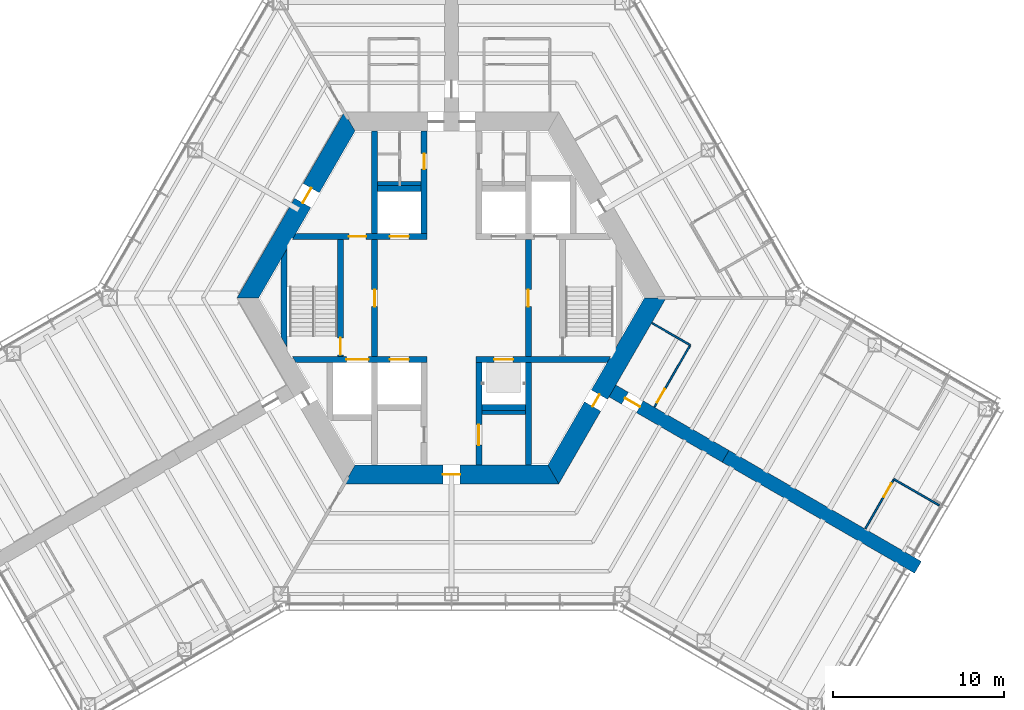
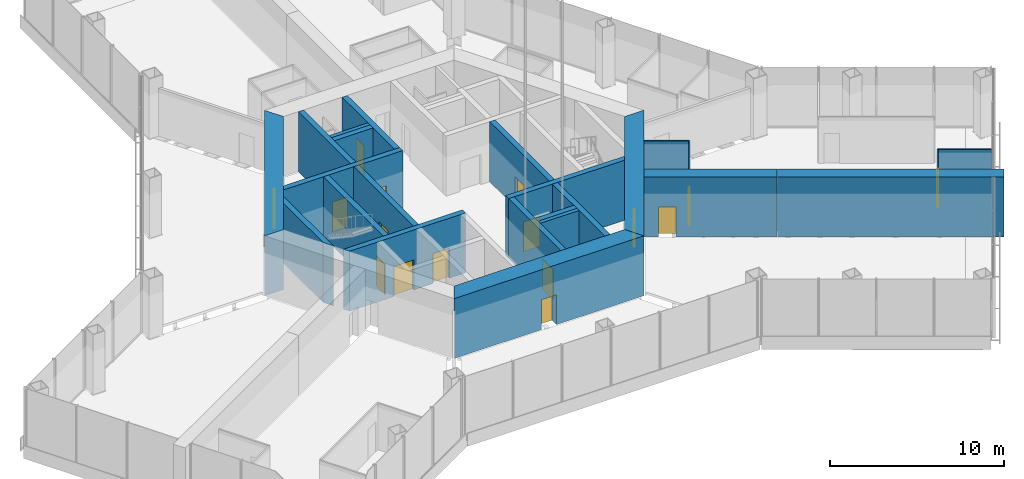
# One storey, part 11 of 18: 24 walls, 16 doors, 16 openings.
"""IFC4 building model written with IfcOpenShell, lengths in metres."""

from ifc_helpers import new_model, si_unit, direction, frame, frame_2d, origin, place, context, subcontext, project, spatial, polyline, rectangle, outline, extrude, material, layer, layer_set, type_object, element, fill, save


model = new_model("IFC4")

# Units and contexts
model_context = context("Model", 3, precision=1e-05, world=origin(), true_north=direction((0.0, 1.0)))
body_context = subcontext(model_context, "Body", "Model", "MODEL_VIEW")
ifc_project = project(units=[si_unit("LENGTHUNIT", "METRE"), si_unit("AREAUNIT", "SQUARE_METRE"), si_unit("VOLUMEUNIT", "CUBIC_METRE"), si_unit("PLANEANGLEUNIT", "RADIAN"), si_unit("MASSUNIT", "GRAM", prefix="KILO")], contexts=[model_context])

# Site, building, storey
site_placement = place(None, origin())
site = spatial("IfcSite", under=ifc_project, at=site_placement, CompositionType="ELEMENT")
building_placement = place(site_placement, origin())
building = spatial("IfcBuilding", under=site, at=building_placement, Name="Kasaneha Research Tower", CompositionType="ELEMENT")
storey_placement = place(building_placement, frame((0.0, 0.0, 57.0)))
storey = spatial("IfcBuildingStorey", under=building, at=storey_placement, Name="L14", CompositionType="ELEMENT", Elevation=57.0)

# Wall, openings, doors
ifc_material_1 = material(Name="Concrete Fc80", Category="concrete")
ifc_layer_1 = layer(ifc_material_1, 0.35009765625)
ifc_layer_set_1 = layer_set([ifc_layer_1], Name="Core internal wall 350 Fc80")
wall_type_1 = type_object("IfcWallType", Name="Core internal wall 350 Fc80", PredefinedType="SHEAR", material=ifc_layer_set_1)
wall_1_placement = place(storey_placement, frame((-9.208740234375, 3.60009765625, 0.0), z_axis=(0.0, 0.0, 1.0), x_axis=(1.0, 0.0, 0.0)))
wall_1 = element("IfcWall", 1, at=wall_1_placement, inside=storey, type_object=wall_type_1, Name="Core wall W1W L14", PredefinedType="SHEAR", context=body_context, shape_type="SweptSolid", body=[
    extrude(outline(polyline([(-0.10107421875, -0.175048828125), (3.208740234375, -0.175048828125), (4.208740234375, -0.175048828125), (5.608642578125, -0.175048828125), (6.708740234375, -0.175048828125), (7.78369140625, -0.175048828125), (7.78369140625, 0.175048828125), (6.708740234375, 0.175048828125), (5.608642578125, 0.175048828125), (4.208740234375, 0.175048828125), (3.208740234375, 0.175048828125), (0.10107421875, 0.175048828125), (-0.10107421875, -0.175048828125)])), origin(), (0.0, 0.0, 1.0), 4.199951171875),
])
opening_1_placement = place(wall_1_placement, frame((3.208740234375, 0.0, 0.0)))
opening_1 = element("IfcOpeningElement", 2, at=opening_1_placement, cuts=wall_1, Name="Opening L14-D12", PredefinedType="OPENING", context=body_context, shape_type="SweptSolid", body=[
    extrude(rectangle(XDim=1.0, YDim=2.10009765625, at=frame_2d((0.5, 1.050048828125))), frame((0.0, 0.18505859375, 0.0), z_axis=(0.0, -1.0, 0.0), x_axis=(1.0, 0.0, 0.0)), (0.0, 0.0, 1.0), 0.3701171875),
])
opening_2_placement = place(wall_1_placement, frame((5.608642578125, 0.0, 0.0)))
opening_2 = element("IfcOpeningElement", 3, at=opening_2_placement, cuts=wall_1, Name="Opening LD-LO1-L14", PredefinedType="OPENING", context=body_context, shape_type="SweptSolid", body=[
    extrude(rectangle(XDim=1.10009765625, YDim=2.10009765625, at=frame_2d((0.550048828125, 1.050048828125))), frame((0.0, 0.18505859375, 0.0), z_axis=(0.0, -1.0, 0.0), x_axis=(1.0, 0.0, 0.0)), (0.0, 0.0, 1.0), 0.3701171875),
])
ifc_material_2 = material(Name="Steel", Category="steel")
door_type_1 = type_object("IfcDoorType", Name="Lift landing door 1100x2100", OperationType="DOUBLE_DOOR_SLIDING", PredefinedType="DOOR", material=ifc_material_2)
door_1_placement = place(opening_2_placement, origin())
door_1 = element("IfcDoor", 4, at=door_1_placement, inside=storey, type_object=door_type_1, Name="Landing door LO1 LD-LO1-L14", OperationType="DOUBLE_DOOR_SLIDING", OverallHeight=2.10009765625, OverallWidth=1.10009765625, PredefinedType="DOOR", context=body_context, shape_type="SweptSolid", body=[
    extrude(rectangle(XDim=1.10009765625, YDim=2.10009765625, at=frame_2d((0.550048828125, 1.050048828125))), frame((0.0, 0.02490234375, 0.0), z_axis=(0.0, -1.0, 0.0), x_axis=(1.0, 0.0, 0.0)), (0.0, 0.0, 1.0), 0.050048828125),
])
fill(opening_2, door_1)
ifc_material_3 = material(Name="Steel", Category="steel")
door_type_2 = type_object("IfcDoorType", Name="Specified fire door FD60 1000x2100", OperationType="NOTDEFINED", PredefinedType="DOOR", material=ifc_material_3)
door_2_placement = place(opening_1_placement, origin())
door_2 = element("IfcDoor", 5, at=door_2_placement, inside=storey, type_object=door_type_2, Name="Vestibule to lobby door L14-D12", OperationType="SINGLE_SWING_RIGHT", OverallHeight=2.10009765625, OverallWidth=1.0, PredefinedType="DOOR", context=body_context, shape_type="SweptSolid", body=[
    extrude(rectangle(XDim=1.0, YDim=2.10009765625, at=frame_2d((0.5, 1.050048828125))), frame((0.0, 0.02490234375, 0.0), z_axis=(0.0, -1.0, 0.0), x_axis=(1.0, 0.0, 0.0)), (0.0, 0.0, 1.0), 0.050048828125),
])
fill(opening_1, door_2)

wall_2_placement = place(storey_placement, frame((-9.208740234375, -3.60009765625, 0.0), z_axis=(0.0, 0.0, 1.0), x_axis=(1.0, 0.0, 0.0)))
wall_2 = element("IfcWall", 6, at=wall_2_placement, inside=storey, type_object=wall_type_1, Name="Core wall W2W L14", PredefinedType="SHEAR", context=body_context, shape_type="SweptSolid", body=[
    extrude(outline(polyline([(0.10107421875, -0.175048828125), (3.058837890625, -0.175048828125), (4.35888671875, -0.175048828125), (5.608642578125, -0.175048828125), (6.708740234375, -0.175048828125), (7.78369140625, -0.175048828125), (7.78369140625, 0.175048828125), (6.708740234375, 0.175048828125), (5.608642578125, 0.175048828125), (4.35888671875, 0.175048828125), (3.058837890625, 0.175048828125), (-0.10107421875, 0.175048828125), (0.10107421875, -0.175048828125)])), origin(), (0.0, 0.0, 1.0), 4.199951171875),
])
opening_3_placement = place(wall_2_placement, frame((5.608642578125, 0.0, 0.0)))
opening_3 = element("IfcOpeningElement", 7, at=opening_3_placement, cuts=wall_2, Name="Opening LD-LO2-L14", PredefinedType="OPENING", context=body_context, shape_type="SweptSolid", body=[
    extrude(rectangle(XDim=1.10009765625, YDim=2.10009765625, at=frame_2d((0.550048828125, 1.050048828125))), frame((0.0, 0.18505859375, 0.0), z_axis=(0.0, -1.0, 0.0), x_axis=(1.0, 0.0, 0.0)), (0.0, 0.0, 1.0), 0.3701171875),
])
opening_4_placement = place(wall_2_placement, frame((3.058837890625, 0.0, 0.0)))
opening_4 = element("IfcOpeningElement", 8, at=opening_4_placement, cuts=wall_2, Name="Opening LD-FL2-L14", PredefinedType="OPENING", context=body_context, shape_type="SweptSolid", body=[
    extrude(rectangle(XDim=1.300048828125, YDim=2.10009765625, at=frame_2d((0.64990234375, 1.050048828125))), frame((0.0, 0.18505859375, 0.0), z_axis=(0.0, -1.0, 0.0), x_axis=(1.0, 0.0, 0.0)), (0.0, 0.0, 1.0), 0.3701171875),
])
door_3_placement = place(opening_3_placement, origin())
door_3 = element("IfcDoor", 9, at=door_3_placement, inside=storey, type_object=door_type_1, Name="Landing door LO2 LD-LO2-L14", OperationType="DOUBLE_DOOR_SLIDING", OverallHeight=2.10009765625, OverallWidth=1.10009765625, PredefinedType="DOOR", context=body_context, shape_type="SweptSolid", body=[
    extrude(rectangle(XDim=1.10009765625, YDim=2.10009765625, at=frame_2d((0.550048828125, 1.050048828125))), frame((0.0, 0.02490234375, 0.0), z_axis=(0.0, -1.0, 0.0), x_axis=(1.0, 0.0, 0.0)), (0.0, 0.0, 1.0), 0.050048828125),
])
fill(opening_3, door_3)
ifc_material_4 = material(Name="Steel", Category="steel")
door_type_3 = type_object("IfcDoorType", Name="Lift landing door 1300x2100", OperationType="DOUBLE_DOOR_SLIDING", PredefinedType="DOOR", material=ifc_material_4)
door_4_placement = place(opening_4_placement, origin())
door_4 = element("IfcDoor", 10, at=door_4_placement, inside=storey, type_object=door_type_3, Name="Landing door FL2 LD-FL2-L14", OperationType="DOUBLE_DOOR_SLIDING", OverallHeight=2.10009765625, OverallWidth=1.300048828125, PredefinedType="DOOR", context=body_context, shape_type="SweptSolid", body=[
    extrude(rectangle(XDim=1.300048828125, YDim=2.10009765625, at=frame_2d((0.64990234375, 1.050048828125))), frame((0.0, 0.02490234375, 0.0), z_axis=(0.0, -1.0, 0.0), x_axis=(1.0, 0.0, 0.0)), (0.0, 0.0, 1.0), 0.050048828125),
])
fill(opening_4, door_4)

# Wall, opening, door
wall_3_placement = place(storey_placement, frame((1.425048828125, -3.60009765625, 0.0), z_axis=(0.0, 0.0, 1.0), x_axis=(1.0, 0.0, 0.0)))
wall_3 = element("IfcWall", 11, at=wall_3_placement, inside=storey, type_object=wall_type_1, Name="Core wall W2E L14", PredefinedType="SHEAR", context=body_context, shape_type="SweptSolid", body=[
    extrude(outline(polyline([(0.0, -0.175048828125), (1.074951171875, -0.175048828125), (2.175048828125, -0.175048828125), (7.6826171875, -0.175048828125), (7.884765625, 0.175048828125), (2.175048828125, 0.175048828125), (1.074951171875, 0.175048828125), (0.0, 0.175048828125), (0.0, -0.175048828125)])), origin(), (0.0, 0.0, 1.0), 4.199951171875),
])
opening_5_placement = place(wall_3_placement, frame((1.074951171875, 0.0, 0.0)))
opening_5 = element("IfcOpeningElement", 12, at=opening_5_placement, cuts=wall_3, Name="Opening LD-LO3-L14", PredefinedType="OPENING", context=body_context, shape_type="SweptSolid", body=[
    extrude(rectangle(XDim=1.10009765625, YDim=2.10009765625, at=frame_2d((0.550048828125, 1.050048828125))), frame((0.0, 0.18505859375, 0.0), z_axis=(0.0, -1.0, 0.0), x_axis=(1.0, 0.0, 0.0)), (0.0, 0.0, 1.0), 0.3701171875),
])
door_5_placement = place(opening_5_placement, origin())
door_5 = element("IfcDoor", 13, at=door_5_placement, inside=storey, type_object=door_type_1, Name="Landing door LO3 LD-LO3-L14", OperationType="DOUBLE_DOOR_SLIDING", OverallHeight=2.10009765625, OverallWidth=1.10009765625, PredefinedType="DOOR", context=body_context, shape_type="SweptSolid", body=[
    extrude(rectangle(XDim=1.10009765625, YDim=2.10009765625, at=frame_2d((0.550048828125, 1.050048828125))), frame((0.0, 0.02490234375, 0.0), z_axis=(0.0, -1.0, 0.0), x_axis=(1.0, 0.0, 0.0)), (0.0, 0.0, 1.0), 0.050048828125),
])
fill(opening_5, door_5)

wall_4_placement = place(storey_placement, frame((-1.60009765625, 3.77490234375, 0.0), z_axis=(0.0, 0.0, 1.0), x_axis=(0.0, 1.0, 0.0)))
wall_4 = element("IfcWall", 14, at=wall_4_placement, inside=storey, type_object=wall_type_1, Name="Core wall CNW L14", PredefinedType="SHEAR", context=body_context, shape_type="SweptSolid", body=[
    extrude(rectangle(XDim=6.0, YDim=0.35009765625, at=frame_2d((3.0, 0.0))), origin(), (0.0, 0.0, 1.0), 4.199951171875),
])
opening_6_placement = place(wall_4_placement, frame((3.77490234375, 0.0, 0.0)))
opening_6 = element("IfcOpeningElement", 15, at=opening_6_placement, cuts=wall_4, Name="Opening L14-D13", PredefinedType="OPENING", context=body_context, shape_type="SweptSolid", body=[
    extrude(rectangle(XDim=0.89990234375, YDim=2.10009765625, at=frame_2d((0.449951171875, 1.050048828125))), frame((0.0, 0.18505859375, 0.0), z_axis=(0.0, -1.0, 0.0), x_axis=(1.0, 0.0, 0.0)), (0.0, 0.0, 1.0), 0.3701171875),
])
ifc_material_5 = material(Name="Steel", Category="steel")
door_type_4 = type_object("IfcDoorType", Name="Toilet door FD20 900x2100", OperationType="NOTDEFINED", PredefinedType="DOOR", material=ifc_material_5)
door_6_placement = place(opening_6_placement, origin())
door_6 = element("IfcDoor", 16, at=door_6_placement, inside=storey, type_object=door_type_4, Name="Men's WC door L14-D13", OperationType="SINGLE_SWING_LEFT", OverallHeight=2.10009765625, OverallWidth=0.89990234375, PredefinedType="DOOR", context=body_context, shape_type="SweptSolid", body=[
    extrude(rectangle(XDim=0.89990234375, YDim=2.10009765625, at=frame_2d((0.449951171875, 1.050048828125))), frame((0.0, 0.02490234375, 0.0), z_axis=(0.0, -1.0, 0.0), x_axis=(1.0, 0.0, 0.0)), (0.0, 0.0, 1.0), 0.050048828125),
])
fill(opening_6, door_6)

wall_5_placement = place(storey_placement, frame((1.60009765625, -3.77490234375, 0.0), z_axis=(0.0, 0.0, 1.0), x_axis=(0.0, -1.0, 0.0)))
wall_5 = element("IfcWall", 17, at=wall_5_placement, inside=storey, type_object=wall_type_1, Name="Core wall CSE L14", PredefinedType="SHEAR", context=body_context, shape_type="SweptSolid", body=[
    extrude(rectangle(XDim=6.0, YDim=0.35009765625, at=frame_2d((3.0, 0.0))), origin(), (0.0, 0.0, 1.0), 4.199951171875),
])
opening_7_placement = place(wall_5_placement, frame((3.625, 0.0, 0.0)))
opening_7 = element("IfcOpeningElement", 18, at=opening_7_placement, cuts=wall_5, Name="Opening L14-D15", PredefinedType="OPENING", context=body_context, shape_type="SweptSolid", body=[
    extrude(rectangle(XDim=1.199951171875, YDim=2.10009765625, at=frame_2d((0.60009765625, 1.050048828125))), frame((0.0, 0.18505859375, 0.0), z_axis=(0.0, -1.0, 0.0), x_axis=(1.0, 0.0, 0.0)), (0.0, 0.0, 1.0), 0.3701171875),
])
ifc_material_6 = material(Name="Steel", Category="steel")
door_type_5 = type_object("IfcDoorType", Name="Accessible toilet sliding door FD20 1200x2100", OperationType="SLIDING_TO_LEFT", PredefinedType="DOOR", material=ifc_material_6)
door_7_placement = place(opening_7_placement, origin())
door_7 = element("IfcDoor", 19, at=door_7_placement, inside=storey, type_object=door_type_5, Name="Accessible WC door L14-D15", OperationType="SLIDING_TO_LEFT", OverallHeight=2.10009765625, OverallWidth=1.199951171875, PredefinedType="DOOR", context=body_context, shape_type="SweptSolid", body=[
    extrude(rectangle(XDim=1.199951171875, YDim=2.10009765625, at=frame_2d((0.60009765625, 1.050048828125))), frame((0.0, 0.02490234375, 0.0), z_axis=(0.0, -1.0, 0.0), x_axis=(1.0, 0.0, 0.0)), (0.0, 0.0, 1.0), 0.050048828125),
])
fill(opening_7, door_7)

wall_6_placement = place(storey_placement, frame((-4.5, -3.425048828125, 0.0), z_axis=(0.0, 0.0, 1.0), x_axis=(0.0, 1.0, 0.0)))
wall_6 = element("IfcWall", 20, at=wall_6_placement, inside=storey, type_object=wall_type_1, Name="Core wall LBW L14", PredefinedType="SHEAR", context=body_context, shape_type="SweptSolid", body=[
    extrude(rectangle(XDim=6.85009765625, YDim=0.35009765625, at=frame_2d((3.425048828125, 0.0))), origin(), (0.0, 0.0, 1.0), 4.199951171875),
])
opening_8_placement = place(wall_6_placement, frame((2.925048828125, 0.0, 0.0)))
opening_8 = element("IfcOpeningElement", 21, at=opening_8_placement, cuts=wall_6, Name="Opening L14-D09", PredefinedType="OPENING", context=body_context, shape_type="SweptSolid", body=[
    extrude(rectangle(XDim=1.0, YDim=2.10009765625, at=frame_2d((0.5, 1.050048828125))), frame((0.0, 0.18505859375, 0.0), z_axis=(0.0, -1.0, 0.0), x_axis=(1.0, 0.0, 0.0)), (0.0, 0.0, 1.0), 0.3701171875),
])
door_8_placement = place(opening_8_placement, origin())
door_8 = element("IfcDoor", 22, at=door_8_placement, inside=storey, type_object=door_type_2, Name="Lift lobby door west L14-D09", OperationType="SINGLE_SWING_LEFT", OverallHeight=2.10009765625, OverallWidth=1.0, PredefinedType="DOOR", context=body_context, shape_type="SweptSolid", body=[
    extrude(rectangle(XDim=1.0, YDim=2.10009765625, at=frame_2d((0.5, 1.050048828125))), frame((0.0, 0.02490234375, 0.0), z_axis=(0.0, -1.0, 0.0), x_axis=(1.0, 0.0, 0.0)), (0.0, 0.0, 1.0), 0.050048828125),
])
fill(opening_8, door_8)

wall_7_placement = place(storey_placement, frame((4.5, -3.425048828125, 0.0), z_axis=(0.0, 0.0, 1.0), x_axis=(0.0, 1.0, 0.0)))
wall_7 = element("IfcWall", 23, at=wall_7_placement, inside=storey, type_object=wall_type_1, Name="Core wall LBE L14", PredefinedType="SHEAR", context=body_context, shape_type="SweptSolid", body=[
    extrude(rectangle(XDim=6.85009765625, YDim=0.35009765625, at=frame_2d((3.425048828125, 0.0))), origin(), (0.0, 0.0, 1.0), 4.199951171875),
])
opening_9_placement = place(wall_7_placement, frame((2.925048828125, 0.0, 0.0)))
opening_9 = element("IfcOpeningElement", 24, at=opening_9_placement, cuts=wall_7, Name="Opening L14-D08", PredefinedType="OPENING", context=body_context, shape_type="SweptSolid", body=[
    extrude(rectangle(XDim=1.0, YDim=2.10009765625, at=frame_2d((0.5, 1.050048828125))), frame((0.0, 0.18505859375, 0.0), z_axis=(0.0, -1.0, 0.0), x_axis=(1.0, 0.0, 0.0)), (0.0, 0.0, 1.0), 0.3701171875),
])
door_9_placement = place(opening_9_placement, origin())
door_9 = element("IfcDoor", 25, at=door_9_placement, inside=storey, type_object=door_type_2, Name="Lift lobby door east L14-D08", OperationType="SINGLE_SWING_LEFT", OverallHeight=2.10009765625, OverallWidth=1.0, PredefinedType="DOOR", context=body_context, shape_type="SweptSolid", body=[
    extrude(rectangle(XDim=1.0, YDim=2.10009765625, at=frame_2d((0.5, 1.050048828125))), frame((0.0, 0.02490234375, 0.0), z_axis=(0.0, -1.0, 0.0), x_axis=(1.0, 0.0, 0.0)), (0.0, 0.0, 1.0), 0.050048828125),
])
fill(opening_9, door_9)

wall_8_placement = place(storey_placement, frame((-6.5, -3.425048828125, 0.0), z_axis=(0.0, 0.0, 1.0), x_axis=(0.0, 1.0, 0.0)))
wall_8 = element("IfcWall", 26, at=wall_8_placement, inside=storey, type_object=wall_type_1, Name="Core wall ANW L14", PredefinedType="SHEAR", context=body_context, shape_type="SweptSolid", body=[
    extrude(rectangle(XDim=6.85009765625, YDim=0.35009765625, at=frame_2d((3.425048828125, 0.0))), origin(), (0.0, 0.0, 1.0), 4.199951171875),
])
opening_10_placement = place(wall_8_placement, frame((0.10009765625, 0.0, 0.0)))
opening_10 = element("IfcOpeningElement", 27, at=opening_10_placement, cuts=wall_8, Name="Opening L14-D11", PredefinedType="OPENING", context=body_context, shape_type="SweptSolid", body=[
    extrude(rectangle(XDim=1.0, YDim=2.10009765625, at=frame_2d((0.5, 1.050048828125))), frame((0.0, 0.18505859375, 0.0), z_axis=(0.0, -1.0, 0.0), x_axis=(1.0, 0.0, 0.0)), (0.0, 0.0, 1.0), 0.3701171875),
])
door_10_placement = place(opening_10_placement, origin())
door_10 = element("IfcDoor", 28, at=door_10_placement, inside=storey, type_object=door_type_2, Name="Stair 2 door L14-D11", OperationType="SINGLE_SWING_LEFT", OverallHeight=2.10009765625, OverallWidth=1.0, PredefinedType="DOOR", context=body_context, shape_type="SweptSolid", body=[
    extrude(rectangle(XDim=1.0, YDim=2.10009765625, at=frame_2d((0.5, 1.050048828125))), frame((0.0, 0.02490234375, 0.0), z_axis=(0.0, -1.0, 0.0), x_axis=(1.0, 0.0, 0.0)), (0.0, 0.0, 1.0), 0.050048828125),
])
fill(opening_10, door_10)

# Walls
for number, where, z_axis, x_axis, name in (
    (29, (-4.5, 3.77490234375, 0.0), (0.0, 0.0, 1.0), (0.0, 1.0, 0.0), "Core wall VNW L14"),
    (30, (4.5, -3.77490234375, 0.0), (0.0, 0.0, 1.0), (0.0, -1.0, 0.0), "Core wall SSE L14"),
):
    element("IfcWall", number, at=place(storey_placement, frame(where, z_axis=z_axis, x_axis=x_axis)), inside=storey, type_object=wall_type_1, Name=name, PredefinedType="SHEAR", context=body_context, shape_type="SweptSolid", body=[
        extrude(rectangle(XDim=6.0, YDim=0.35009765625, at=frame_2d((3.0, 0.0))), origin(), (0.0, 0.0, 1.0), 4.199951171875),
    ])
for number, where, z_axis, x_axis, name in (
    (31, (-4.324951171875, 6.39990234375, 0.0), (0.0, 0.0, 1.0), (1.0, 0.0, 0.0), "Core wall N1N L14"),
    (32, (1.77490234375, -6.39990234375, 0.0), (0.0, 0.0, 1.0), (1.0, 0.0, 0.0), "Core wall S3S L14"),
):
    element("IfcWall", number, at=place(storey_placement, frame(where, z_axis=z_axis, x_axis=x_axis)), inside=storey, type_object=wall_type_1, Name=name, PredefinedType="SHEAR", context=body_context, shape_type="SweptSolid", body=[
        extrude(rectangle(XDim=2.550048828125, YDim=0.35009765625, at=frame_2d((1.27490234375, 0.0))), origin(), (0.0, 0.0, 1.0), 4.199951171875),
    ])
wall_9_placement = place(storey_placement, frame((-9.807861328125, -2.562255859375, 0.0), z_axis=(0.0, 0.0, 1.0), x_axis=(0.0, 1.0, 0.0)))
element("IfcWall", 33, at=wall_9_placement, inside=storey, type_object=wall_type_1, Name="Core wall STW L14", PredefinedType="SHEAR", context=body_context, shape_type="SweptSolid", body=[
    extrude(outline(polyline([(-0.30322265625, -0.175048828125), (5.427734375, -0.175048828125), (4.8212890625, 0.175048828125), (0.30322265625, 0.175048828125), (-0.30322265625, -0.175048828125)])), origin(), (0.0, 0.0, 1.0), 4.199951171875),
])

# Wall, opening, door
ifc_material_7 = material(Name="Concrete Fc80", Category="concrete")
ifc_layer_2 = layer(ifc_material_7, 1.10009765625)
ifc_layer_set_2 = layer_set([ifc_layer_2], Name="Core wall 1100 Fc80")
wall_type_2 = type_object("IfcWallType", Name="Core wall 1100 Fc80", PredefinedType="SHEAR", material=ifc_layer_set_2)
wall_10_placement = place(storey_placement, frame((-5.961181640625, 10.324951171875, 0.0), z_axis=(0.0, 0.0, 1.0), x_axis=(-0.500004296715, -0.866022923061, 0.0)))
wall_10 = element("IfcWall", 34, at=wall_10_placement, inside=storey, type_object=wall_type_2, Name="Core wall 150 L14", PredefinedType="SHEAR", context=body_context, shape_type="SweptSolid", body=[
    extrude(outline(polyline([(-0.317626953125, -0.550048828125), (4.494140625, -0.550048828125), (5.494140625, -0.550048828125), (12.239990234375, -0.550048828125), (11.604736328125, 0.550048828125), (5.494140625, 0.550048828125), (4.494140625, 0.550048828125), (0.317626953125, 0.550048828125), (-0.317626953125, -0.550048828125)])), origin(), (0.0, 0.0, 1.0), 4.199951171875),
])
opening_11_placement = place(wall_10_placement, frame((4.494140625, 0.0, 0.0)))
opening_11 = element("IfcOpeningElement", 35, at=opening_11_placement, cuts=wall_10, Name="Opening L14-D07", PredefinedType="OPENING", context=body_context, shape_type="SweptSolid", body=[
    extrude(rectangle(XDim=1.0, YDim=2.10009765625, at=frame_2d((0.5, 1.050048828125))), frame((0.0, 0.56005859375, 0.0), z_axis=(0.0, -1.0, 0.0), x_axis=(1.0, 0.0, 0.0)), (0.0, 0.0, 1.0), 1.1201171875),
])
ifc_material_8 = material(Name="Steel", Category="steel")
door_type_6 = type_object("IfcDoorType", Name="Fire door FD20 1000x2100", OperationType="NOTDEFINED", PredefinedType="DOOR", material=ifc_material_8)
door_11_placement = place(opening_11_placement, origin())
door_11 = element("IfcDoor", 36, at=door_11_placement, inside=storey, type_object=door_type_6, Name="Vestibule door L14-D07", OperationType="SINGLE_SWING_LEFT", OverallHeight=2.10009765625, OverallWidth=1.0, PredefinedType="DOOR", context=body_context, shape_type="SweptSolid", body=[
    extrude(rectangle(XDim=1.0, YDim=2.10009765625, at=frame_2d((0.5, 1.050048828125))), frame((0.0, 0.02490234375, 0.0), z_axis=(0.0, -1.0, 0.0), x_axis=(1.0, 0.0, 0.0)), (0.0, 0.0, 1.0), 0.050048828125),
])
fill(opening_11, door_11)

wall_11_placement = place(storey_placement, frame((-5.961181640625, -10.324951171875, 0.0), z_axis=(0.0, 0.0, 1.0), x_axis=(1.0, 0.0, 0.0)))
wall_11 = element("IfcWall", 37, at=wall_11_placement, inside=storey, type_object=wall_type_2, Name="Core wall 270 L14", PredefinedType="SHEAR", context=body_context, shape_type="SweptSolid", body=[
    extrude(outline(polyline([(-0.317626953125, -0.550048828125), (5.461181640625, -0.550048828125), (6.461181640625, -0.550048828125), (12.239990234375, -0.550048828125), (11.604736328125, 0.550048828125), (6.461181640625, 0.550048828125), (5.461181640625, 0.550048828125), (0.317626953125, 0.550048828125), (-0.317626953125, -0.550048828125)])), origin(), (0.0, 0.0, 1.0), 4.199951171875),
])
opening_12_placement = place(wall_11_placement, frame((5.461181640625, 0.0, 0.0)))
opening_12 = element("IfcOpeningElement", 38, at=opening_12_placement, cuts=wall_11, Name="Opening L14-D03", PredefinedType="OPENING", context=body_context, shape_type="SweptSolid", body=[
    extrude(rectangle(XDim=1.0, YDim=2.10009765625, at=frame_2d((0.5, 1.050048828125))), frame((0.0, 0.56005859375, 0.0), z_axis=(0.0, -1.0, 0.0), x_axis=(1.0, 0.0, 0.0)), (0.0, 0.0, 1.0), 1.1201171875),
])
door_12_placement = place(opening_12_placement, origin())
door_12 = element("IfcDoor", 39, at=door_12_placement, inside=storey, type_object=door_type_6, Name="Core door south L14-D03", OperationType="SINGLE_SWING_LEFT", OverallHeight=2.10009765625, OverallWidth=1.0, PredefinedType="DOOR", context=body_context, shape_type="SweptSolid", body=[
    extrude(rectangle(XDim=1.0, YDim=2.10009765625, at=frame_2d((0.5, 1.050048828125))), frame((0.0, 0.02490234375, 0.0), z_axis=(0.0, -1.0, 0.0), x_axis=(1.0, 0.0, 0.0)), (0.0, 0.0, 1.0), 0.050048828125),
])
fill(opening_12, door_12)

wall_12_placement = place(storey_placement, frame((5.961181640625, -10.324951171875, 0.0), z_axis=(0.0, 0.0, 1.0), x_axis=(0.500004296715, 0.866022923061, 0.0)))
wall_12 = element("IfcWall", 40, at=wall_12_placement, inside=storey, type_object=wall_type_2, Name="Core wall 330 L14", PredefinedType="SHEAR", context=body_context, shape_type="SweptSolid", body=[
    extrude(outline(polyline([(-0.317626953125, -0.550048828125), (4.593994140625, -0.550048828125), (5.39404296875, -0.550048828125), (12.239990234375, -0.550048828125), (11.604736328125, 0.550048828125), (5.39404296875, 0.550048828125), (4.593994140625, 0.550048828125), (0.317626953125, 0.550048828125), (-0.317626953125, -0.550048828125)])), origin(), (0.0, 0.0, 1.0), 4.199951171875),
])
opening_13_placement = place(wall_12_placement, frame((4.593994140625, 0.0, 0.0)))
opening_13 = element("IfcOpeningElement", 41, at=opening_13_placement, cuts=wall_12, Name="Opening L14-D05", PredefinedType="OPENING", context=body_context, shape_type="SweptSolid", body=[
    extrude(rectangle(XDim=0.800048828125, YDim=2.10009765625, at=frame_2d((0.39990234375, 1.050048828125))), frame((0.0, 0.56005859375, 0.0), z_axis=(0.0, -1.0, 0.0), x_axis=(1.0, 0.0, 0.0)), (0.0, 0.0, 1.0), 1.1201171875),
])
ifc_material_9 = material(Name="Steel", Category="steel")
door_type_7 = type_object("IfcDoorType", Name="Riser access door FD60 800x2100", OperationType="NOTDEFINED", PredefinedType="DOOR", material=ifc_material_9)
door_13_placement = place(opening_13_placement, origin())
door_13 = element("IfcDoor", 42, at=door_13_placement, inside=storey, type_object=door_type_7, Name="Pipe riser door L14-D05", OperationType="SINGLE_SWING_LEFT", OverallHeight=2.10009765625, OverallWidth=0.800048828125, PredefinedType="DOOR", context=body_context, shape_type="SweptSolid", body=[
    extrude(rectangle(XDim=0.800048828125, YDim=2.10009765625, at=frame_2d((0.39990234375, 1.050048828125))), frame((0.0, 0.02490234375, 0.0), z_axis=(0.0, -1.0, 0.0), x_axis=(1.0, 0.0, 0.0)), (0.0, 0.0, 1.0), 0.050048828125),
])
fill(opening_13, door_13)

# Wall
ifc_material_10 = material(Name="Gypsum board on steel studs, one layer each side", Category="steel")
ifc_layer_3 = layer(ifc_material_10, 0.10009765625)
ifc_layer_set_3 = layer_set([ifc_layer_3], Name="Office partition 100")
wall_type_3 = type_object("IfcWallType", Name="Office partition 100", PredefinedType="PARTITIONING", material=ifc_layer_set_3)
wall_13_placement = place(storey_placement, frame((11.7353515625, -1.4638671875, 0.0), z_axis=(0.0, 0.0, 1.0), x_axis=(0.866021702275, -0.500006411147, 0.0)))
element("IfcWall", 43, at=wall_13_placement, inside=storey, type_object=wall_type_3, Name="Office partition FCE04 L14", PredefinedType="PARTITIONING", context=body_context, shape_type="SweptSolid", body=[
    extrude(rectangle(XDim=2.580078125, YDim=0.10009765625, at=frame_2d((1.2900390625, 0.0))), origin(), (0.0, 0.0, 1.0), 3.25),
])

# Wall, opening, door
wall_14_placement = place(storey_placement, frame((13.9697265625, -2.75390625, 0.0), z_axis=(0.0, 0.0, 1.0), x_axis=(-0.499801669165, -0.866139879869, 0.0)))
wall_14 = element("IfcWall", 44, at=wall_14_placement, inside=storey, type_object=wall_type_3, Name="Office partition FCE05 L14", PredefinedType="PARTITIONING", context=body_context, shape_type="SweptSolid", body=[
    extrude(rectangle(XDim=4.179931640625, YDim=0.10009765625, at=frame_2d((2.08984375, 0.0))), origin(), (0.0, 0.0, 1.0), 3.25),
])
opening_14_placement = place(wall_14_placement, frame((2.97998046875, 0.0, 0.0)))
opening_14 = element("IfcOpeningElement", 45, at=opening_14_placement, cuts=wall_14, Name="Opening L14-D39", PredefinedType="OPENING", context=body_context, shape_type="SweptSolid", body=[
    extrude(rectangle(XDim=0.89990234375, YDim=2.10009765625, at=frame_2d((0.449951171875, 1.050048828125))), frame((0.0, 0.06005859375, 0.0), z_axis=(0.0, -1.0, 0.0), x_axis=(1.0, 0.0, 0.0)), (0.0, 0.0, 1.0), 0.1201171875),
])
ifc_material_11 = material(Name="Timber veneer", Category="wood")
door_type_8 = type_object("IfcDoorType", Name="Office door 900x2100", OperationType="SINGLE_SWING_LEFT", PredefinedType="DOOR", material=ifc_material_11)
door_14_placement = place(opening_14_placement, origin())
door_14 = element("IfcDoor", 46, at=door_14_placement, inside=storey, type_object=door_type_8, Name="Mail room door L14-D39", OperationType="SINGLE_SWING_RIGHT", OverallHeight=2.10009765625, OverallWidth=0.89990234375, PredefinedType="DOOR", context=body_context, shape_type="SweptSolid", body=[
    extrude(rectangle(XDim=0.89990234375, YDim=2.10009765625, at=frame_2d((0.449951171875, 1.050048828125))), frame((0.0, 0.02490234375, 0.0), z_axis=(0.0, -1.0, 0.0), x_axis=(1.0, 0.0, 0.0)), (0.0, 0.0, 1.0), 0.050048828125),
])
fill(opening_14, door_14)

wall_15_placement = place(storey_placement, frame((24.216796875, -13.49658203125, 0.0), z_axis=(0.0, 0.0, 1.0), x_axis=(0.499928740635, 0.866066541489, 0.0)))
wall_15 = element("IfcWall", 47, at=wall_15_placement, inside=storey, type_object=wall_type_3, Name="Office partition FCE06 L14", PredefinedType="PARTITIONING", context=body_context, shape_type="SweptSolid", body=[
    extrude(rectangle(XDim=3.3466796875, YDim=0.10009765625, at=frame_2d((1.67333984375, 0.0))), origin(), (0.0, 0.0, 1.0), 3.25),
])
opening_15_placement = place(wall_15_placement, frame((2.146728515625, 0.0, 0.0)))
opening_15 = element("IfcOpeningElement", 48, at=opening_15_placement, cuts=wall_15, Name="Opening L14-D40", PredefinedType="OPENING", context=body_context, shape_type="SweptSolid", body=[
    extrude(rectangle(XDim=0.89990234375, YDim=2.10009765625, at=frame_2d((0.449951171875, 1.050048828125))), frame((0.0, 0.06005859375, 0.0), z_axis=(0.0, -1.0, 0.0), x_axis=(1.0, 0.0, 0.0)), (0.0, 0.0, 1.0), 0.1201171875),
])
door_15_placement = place(opening_15_placement, origin())
door_15 = element("IfcDoor", 49, at=door_15_placement, inside=storey, type_object=door_type_8, Name="Phone room door L14-D40", OperationType="SINGLE_SWING_RIGHT", OverallHeight=2.10009765625, OverallWidth=0.89990234375, PredefinedType="DOOR", context=body_context, shape_type="SweptSolid", body=[
    extrude(rectangle(XDim=0.89990234375, YDim=2.10009765625, at=frame_2d((0.449951171875, 1.050048828125))), frame((0.0, 0.02490234375, 0.0), z_axis=(0.0, -1.0, 0.0), x_axis=(1.0, 0.0, 0.0)), (0.0, 0.0, 1.0), 0.050048828125),
])
fill(opening_15, door_15)

# Wall
wall_16_placement = place(storey_placement, frame((25.889892578125, -10.59814453125, 0.0), z_axis=(0.0, 0.0, 1.0), x_axis=(0.866002828817, -0.500039098953, 0.0)))
element("IfcWall", 50, at=wall_16_placement, inside=storey, type_object=wall_type_3, Name="Office partition FCE07 L14", PredefinedType="PARTITIONING", context=body_context, shape_type="SweptSolid", body=[
    extrude(rectangle(XDim=3.070068359375, YDim=0.10009765625, at=frame_2d((1.53515625, 0.0))), origin(), (0.0, 0.0, 1.0), 3.25),
])

# Wall, opening, door
ifc_material_12 = material(Name="Concrete Fc80", Category="concrete")
ifc_layer_4 = layer(ifc_material_12, 0.800048828125)
ifc_layer_set_4 = layer_set([ifc_layer_4], Name="Spine wall 800 Fc80")
wall_type_4 = type_object("IfcWallType", Name="Spine wall 800 Fc80", PredefinedType="SHEAR", material=ifc_layer_set_4)
wall_17_placement = place(storey_placement, frame((9.41796875, -5.4375, 0.0), z_axis=(0.0, 0.0, 1.0), x_axis=(0.866029782078, -0.499992416496, 0.0)))
wall_17 = element("IfcWall", 51, at=wall_17_placement, inside=storey, type_object=wall_type_4, Name="Spine wall C L14", PredefinedType="SHEAR", context=body_context, shape_type="SweptSolid", body=[
    extrude(rectangle(XDim=7.6455078125, YDim=0.800048828125, at=frame_2d((3.82275390625, 0.0))), origin(), (0.0, 0.0, 1.0), 4.199951171875),
])
opening_16_placement = place(wall_17_placement, frame((0.85009765625, 0.0, 0.0)))
opening_16 = element("IfcOpeningElement", 52, at=opening_16_placement, cuts=wall_17, Name="Opening L14-D19", PredefinedType="OPENING", context=body_context, shape_type="SweptSolid", body=[
    extrude(rectangle(XDim=1.0, YDim=2.10009765625, at=frame_2d((0.5, 1.050048828125))), frame((0.0, 0.41015625, 0.0), z_axis=(0.0, -1.0, 0.0), x_axis=(1.0, 0.0, 0.0)), (0.0, 0.0, 1.0), 0.820068359375),
])
door_16_placement = place(opening_16_placement, origin())
door_16 = element("IfcDoor", 53, at=door_16_placement, inside=storey, type_object=door_type_2, Name="Spine doorway C L14-D19", OperationType="SINGLE_SWING_LEFT", OverallHeight=2.10009765625, OverallWidth=1.0, PredefinedType="DOOR", context=body_context, shape_type="SweptSolid", body=[
    extrude(rectangle(XDim=1.0, YDim=2.10009765625, at=frame_2d((0.5, 1.050048828125))), frame((0.0, 0.02490234375, 0.0), z_axis=(0.0, -1.0, 0.0), x_axis=(1.0, 0.0, 0.0)), (0.0, 0.0, 1.0), 0.050048828125),
])
fill(opening_16, door_16)

# Walls
wall_18_placement = place(storey_placement, frame((16.039306640625, -9.26025390625, 0.0), z_axis=(0.0, 0.0, 1.0), x_axis=(0.866024837091, -0.50000098154, 0.0)))
element("IfcWall", 54, at=wall_18_placement, inside=storey, type_object=wall_type_4, Name="Spine wall C wing L14", PredefinedType="SHEAR", context=body_context, shape_type="SweptSolid", body=[
    extrude(rectangle(XDim=13.0, YDim=0.800048828125, at=frame_2d((6.5, 0.0))), origin(), (0.0, 0.0, 1.0), 4.199951171875),
])
ifc_material_13 = material(Name="Concrete block lining", Category="concrete")
ifc_layer_5 = layer(ifc_material_13, 0.25)
ifc_layer_set_5 = layer_set([ifc_layer_5], Name="WC plumbing wall 250")
wall_type_5 = type_object("IfcWallType", Name="WC plumbing wall 250", PredefinedType="PLUMBINGWALL", material=ifc_layer_set_5)
for number, where, z_axis, x_axis, name in (
    (55, (-4.324951171875, 6.699951171875, 0.0), (0.0, 0.0, 1.0), (1.0, 0.0, 0.0), "WC plumbing wall M L14"),
    (56, (1.77490234375, -6.699951171875, 0.0), (0.0, 0.0, 1.0), (1.0, 0.0, 0.0), "WC plumbing wall A L14"),
):
    element("IfcWall", number, at=place(storey_placement, frame(where, z_axis=z_axis, x_axis=x_axis)), inside=storey, type_object=wall_type_5, Name=name, PredefinedType="PLUMBINGWALL", context=body_context, shape_type="SweptSolid", body=[
        extrude(rectangle(XDim=2.550048828125, YDim=0.25, at=frame_2d((1.27490234375, 0.0))), origin(), (0.0, 0.0, 1.0), 4.199951171875),
    ])

save(model, "model.ifc")
